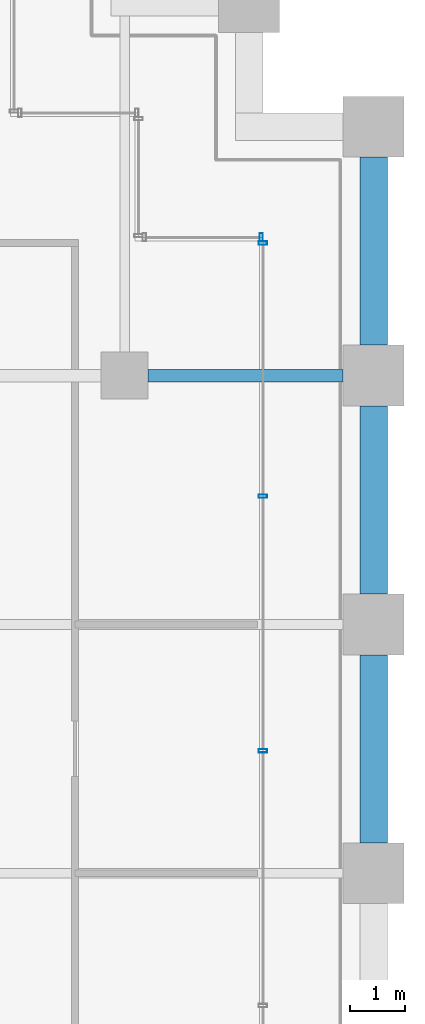
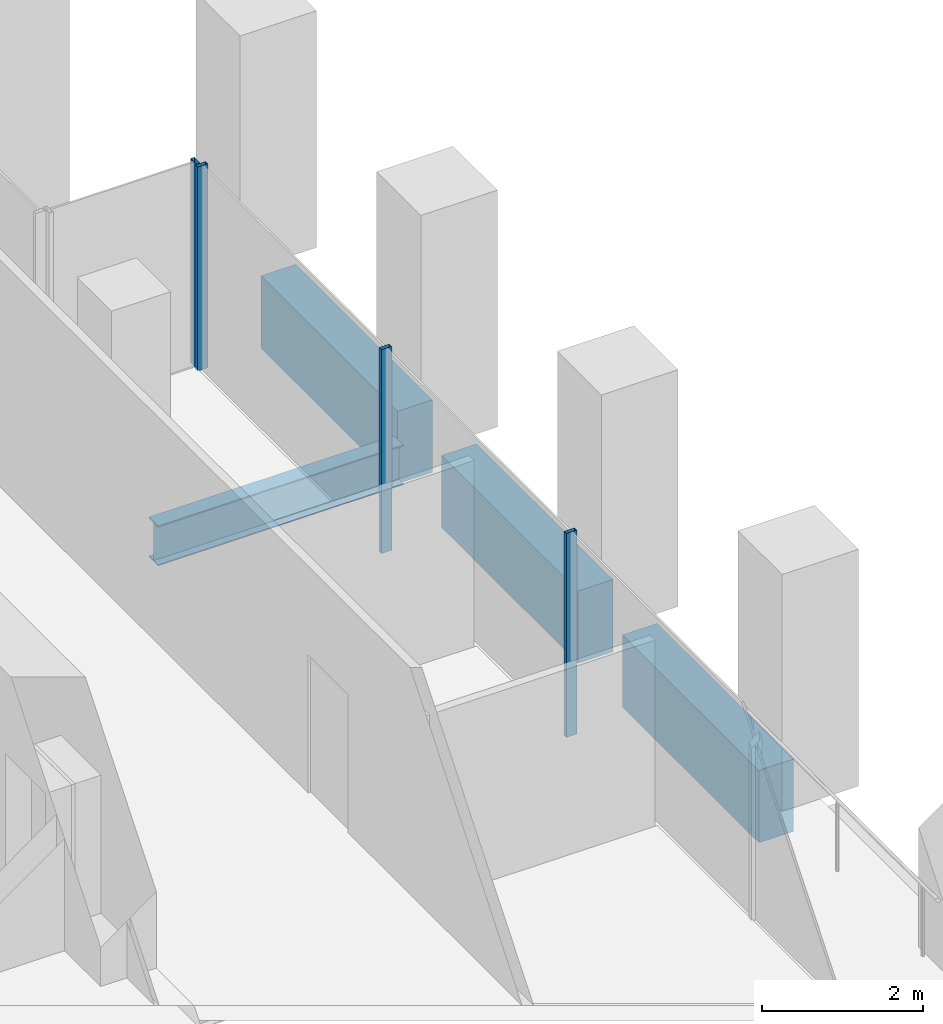
# One storey, part 47 of 56: 4 beams, 4 members, 2 elements without a shape of their own.
"""IFC4 building model written with IfcOpenShell, lengths in metres."""

import ifcopenshell
import ifcopenshell.guid

model = None  # the IFC model being written
_history = None  # IfcOwnerHistory: only IFC2X3 demands one
_inside = {}  # id of a spatial element -> (the spatial element, [elements in it])
_under = {}  # id of a project, library or spatial element -> (it, [spatial elements below it])
_declared = {}  # id of a project -> (the project, [libraries it declares])
_typed = {}  # id of a type object -> (the type object, [elements of that type])
_made_of = {}  # id of a material, layer set ... -> (it, [elements and type objects made of it])


def new_model(schema):
    """Start an empty IFC model of exactly this schema.

    Asked for "IFC4X3", IfcOpenShell would pick the latest addendum, in which some entities
    have other attributes; the version numbers below select the first issue.
    IFC2X3 requires an IfcOwnerHistory on every rooted entity: one is made here for all.
    """
    global model, _history
    if schema == "IFC4X3":
        model = ifcopenshell.file(schema_version=(4, 3, 0, 0))
    else:
        model = ifcopenshell.file(schema=schema)
    _inside.clear()
    _under.clear()
    _declared.clear()
    _typed.clear()
    _made_of.clear()
    _history = None
    if model.schema == "IFC2X3":
        org = make("IfcOrganization", Name="unknown")
        user = make(
            "IfcPersonAndOrganization",
            ThePerson=make("IfcPerson", FamilyName="unknown"),
            TheOrganization=org,
        )
        app = make(
            "IfcApplication",
            ApplicationDeveloper=org,
            Version="unknown",
            ApplicationFullName="unknown",
            ApplicationIdentifier="unknown",
        )
        _history = make(
            "IfcOwnerHistory",
            OwningUser=user,
            OwningApplication=app,
            ChangeAction="ADDED",
            CreationDate=0,
        )
    return model


def make(cls, **values):
    """One entity of the class cls with the attributes given. An attribute that is None is left unset."""
    return model.create_entity(
        cls, **{name: value for name, value in values.items() if value is not None}
    )


def rooted(cls, **values):
    """An entity with a GlobalId (a new one), such as an element, a storey or a relation."""
    return make(cls, GlobalId=ifcopenshell.guid.new(), OwnerHistory=_history, **values)


def si_unit(unit_type, name, prefix=None):
    """IfcSIUnit, for example si_unit("LENGTHUNIT", "METRE", prefix="MILLI")."""
    return make("IfcSIUnit", UnitType=unit_type, Prefix=prefix, Name=name)


def assignment(units):
    """IfcUnitAssignment: the units of a project."""
    return None if units is None else make("IfcUnitAssignment", Units=units)


def point(xyz):
    """IfcCartesianPoint."""
    return None if xyz is None else make("IfcCartesianPoint", Coordinates=xyz)


def direction(xyz):
    """IfcDirection."""
    return None if xyz is None else make("IfcDirection", DirectionRatios=xyz)


def frame(location, z_axis=None, x_axis=None):
    """IfcAxis2Placement3D, a coordinate frame: its origin and axes. An axis left out is left unset."""
    return make(
        "IfcAxis2Placement3D",
        Location=point(location),
        Axis=direction(z_axis),
        RefDirection=direction(x_axis),
    )


def frame_2d(location, x_axis=None):
    """IfcAxis2Placement2D, a coordinate frame in the plane: its origin and x axis."""
    return make(
        "IfcAxis2Placement2D", Location=point(location), RefDirection=direction(x_axis)
    )


def origin():
    """The frame at (0, 0, 0) with its axes left unset."""
    return frame((0.0, 0.0, 0.0))


def origin_2d():
    """The frame at (0, 0) in the plane with its x axis left unset."""
    return frame_2d((0.0, 0.0))


def place(relative_to, where):
    """IfcLocalPlacement: puts the frame where relative to a parent placement (None: the world)."""
    return make(
        "IfcLocalPlacement", PlacementRelTo=relative_to, RelativePlacement=where
    )


def context(
    kind, dimensions, precision=None, world=None, true_north=None, identifier=None
):
    """IfcGeometricRepresentationContext, for example the 3D "Model" context."""
    return make(
        "IfcGeometricRepresentationContext",
        ContextIdentifier=identifier,
        ContextType=kind,
        CoordinateSpaceDimension=dimensions,
        Precision=precision,
        WorldCoordinateSystem=world,
        TrueNorth=true_north,
    )


def subcontext(parent, identifier, kind, view, scale=None):
    """IfcGeometricRepresentationSubContext, for example "Body" below "Model"."""
    return make(
        "IfcGeometricRepresentationSubContext",
        ContextIdentifier=identifier,
        ContextType=kind,
        ParentContext=parent,
        TargetScale=scale,
        TargetView=view,
    )


def project(units=None, contexts=None):
    """IfcProject with its units and contexts."""
    return rooted(
        "IfcProject",
        Name="project",
        RepresentationContexts=contexts,
        UnitsInContext=assignment(units),
    )


def spatial(cls, under=None, at=None, **own):
    """A site, building, storey or space (cls), placed at a placement, below another one or the project."""
    s = rooted(cls, ObjectPlacement=at, **own)
    if under is not None:
        _under.setdefault(under.id(), (under, []))[1].append(s)
    return s


def profile(cls, at=None, kind="AREA", **sizes):
    """A parametric profile (cls). Its sizes go by their IFC names, for example OverallWidth=200.0."""
    return make(cls, ProfileType=kind, Position=at, **sizes)


def rectangle(**sizes):
    """IfcRectangleProfileDef."""
    return profile("IfcRectangleProfileDef", **sizes)


def hollow_rectangle(**sizes):
    """IfcRectangleHollowProfileDef."""
    return profile("IfcRectangleHollowProfileDef", **sizes)


def i_section(**sizes):
    """IfcIShapeProfileDef."""
    return profile("IfcIShapeProfileDef", **sizes)


def extrude(swept, where, along, depth):
    """IfcExtrudedAreaSolid: the profile swept, set in the frame where, extruded along a direction by depth."""
    return make(
        "IfcExtrudedAreaSolid",
        SweptArea=swept,
        Position=where,
        ExtrudedDirection=direction(along),
        Depth=depth,
    )


def shape(context_of_items, identifier, shape_type, items):
    """IfcShapeRepresentation: the items that make up one representation, for example the "Body"."""
    return make(
        "IfcShapeRepresentation",
        ContextOfItems=context_of_items,
        RepresentationIdentifier=identifier,
        RepresentationType=shape_type,
        Items=items,
    )


def material(Name=None, Category=None):
    """IfcMaterial."""
    return make("IfcMaterial", Name=Name, Category=Category)


def material_profile(
    of_material, cross_section, Name=None, Category=None, Priority=None
):
    """IfcMaterialProfile: a cross section and its material."""
    return make(
        "IfcMaterialProfile",
        Name=Name,
        Material=of_material,
        Profile=cross_section,
        Priority=Priority,
        Category=Category,
    )


def profile_set(profiles, Name=None, composite=None):
    """IfcMaterialProfileSet."""
    return make(
        "IfcMaterialProfileSet",
        Name=Name,
        MaterialProfiles=profiles,
        CompositeProfile=composite,
    )


def made_of(thing, what):
    """Note that an element or type object is made of a material, layer set ...; save() writes the relation."""
    if what is not None:
        _made_of.setdefault(what.id(), (what, []))[1].append(thing)
    return thing


def type_object(cls, material=None, **own):
    """A type object (cls), such as IfcWallType, which elements share."""
    return made_of(rooted(cls, **own), material)


def element(
    cls,
    number,
    at=None,
    inside=None,
    cuts=None,
    type_object=None,
    material=None,
    context=None,
    identifier="Body",
    shape_type=None,
    held_by="IfcProductDefinitionShape",
    body=None,
    shapes=None,
    **own,
):
    """One element of the class cls, such as IfcWall. Its Tag is "e" and its number.

    at: its placement. inside: the storey or other place that contains it. cuts: it is an
    opening in that element (IfcRelVoidsElement). A single representation is given by context,
    identifier, shape_type and body (its items); several are given by shapes. held_by: the class
    of the entity that holds the representations. save() writes the other relations.
    """
    e = rooted(cls, Tag="e%d" % number, ObjectPlacement=at, **own)
    if body is not None:
        shapes = [shape(context, identifier, shape_type, body)]
    if shapes is not None:
        e.Representation = make(held_by, Representations=shapes)
    if inside is not None:
        _inside.setdefault(inside.id(), (inside, []))[1].append(e)
    if cuts is not None:
        rooted(
            "IfcRelVoidsElement", RelatingBuildingElement=cuts, RelatedOpeningElement=e
        )
    if type_object is not None:
        _typed.setdefault(type_object.id(), (type_object, []))[1].append(e)
    return made_of(e, material)


def aggregate(whole, parts):
    """IfcRelAggregates: a whole, such as a stair, and the parts it consists of."""
    return rooted("IfcRelAggregates", RelatingObject=whole, RelatedObjects=parts)


def save(model, path):
    """Write the relations noted so far, then the file.

    IfcRelAggregates (storeys below a building ...), IfcRelContainedInSpatialStructure (elements
    in a storey), IfcRelDefinesByType, IfcRelAssociatesMaterial and IfcRelDeclares: one each for
    every whole, place, type object, material and project.
    """
    for whole, parts in _under.values():
        aggregate(whole, parts)
    for where, things in _inside.values():
        rooted(
            "IfcRelContainedInSpatialStructure",
            RelatedElements=things,
            RelatingStructure=where,
        )
    for kind, things in _typed.values():
        rooted("IfcRelDefinesByType", RelatedObjects=things, RelatingType=kind)
    for what, things in _made_of.values():
        rooted("IfcRelAssociatesMaterial", RelatedObjects=things, RelatingMaterial=what)
    for by, libraries in _declared.values():
        rooted("IfcRelDeclares", RelatingContext=by, RelatedDefinitions=libraries)
    model.write(path)


model = new_model("IFC4")

# Units and contexts
model_context = context("Model", 3, precision=1e-05, world=origin(), true_north=direction((0.0, 1.0)))
body_context = subcontext(model_context, "Body", "Model", "MODEL_VIEW")
ifc_project = project(units=[si_unit("LENGTHUNIT", "METRE"), si_unit("AREAUNIT", "SQUARE_METRE"), si_unit("VOLUMEUNIT", "CUBIC_METRE"), si_unit("PLANEANGLEUNIT", "RADIAN"), si_unit("MASSUNIT", "GRAM", prefix="KILO")], contexts=[model_context])

# Site, building, storey
site_placement = place(None, origin())
site = spatial("IfcSite", under=ifc_project, at=site_placement, CompositionType="ELEMENT")
building_placement = place(site_placement, origin())
building = spatial("IfcBuilding", under=site, at=building_placement, Name="Altepetl Exchange Towers", CompositionType="ELEMENT")
storey_placement = place(building_placement, frame((0.0, 0.0, 69.0)))
storey = spatial("IfcBuildingStorey", under=building, at=storey_placement, Name="L16", CompositionType="ELEMENT", Elevation=69.0)

# Beam
ifc_material_1 = material(Name="Steel S355", Category="steel")
ifc_material_profile_1 = material_profile(ifc_material_1, i_section(OverallWidth=0.22802734375, OverallDepth=0.60791015625, WebThickness=0.01123046875, FlangeThickness=0.017333984375, at=origin_2d()), Name="W24X76")
ifc_profile_set_1 = profile_set([ifc_material_profile_1], Name="Steel S355")
beam_type_1 = type_object("IfcBeamType", Name="Girder W24X76", PredefinedType="BEAM", material=ifc_profile_set_1)
beam_1_placement = place(storey_placement, frame((121.925048828125, 49.5, -0.4541015625), z_axis=(1.0, 0.0, 0.0), x_axis=(0.0, 1.0, 0.0)))
element("IfcBeam", 1, at=beam_1_placement, inside=storey, type_object=beam_type_1, Name="gd:B:L16:001", PredefinedType="BEAM", context=body_context, shape_type="SweptSolid", body=[
    extrude(i_section(OverallWidth=0.22802734375, OverallDepth=0.60791015625, WebThickness=0.01123046875, FlangeThickness=0.017333984375, at=origin_2d()), origin(), (0.0, 0.0, 1.0), 3.52490234375),
])

# Curtain wall, members
ifc_material_2 = material(Name="Aluminium 6063-T6 glazing", Category="aluminium")
curtain_wall_type = type_object("IfcCurtainWallType", Name="Loggia glazing system", PredefinedType="NOTDEFINED", material=ifc_material_2)
curtain_wall_1_placement = place(storey_placement, origin())
curtain_wall_1 = element("IfcCurtainWall", 2, at=curtain_wall_1_placement, inside=storey, type_object=curtain_wall_type, Name="CW1 run", PredefinedType="NOTDEFINED")
ifc_material_3 = material(Name="Aluminium 6063-T6", Category="aluminium")
ifc_material_profile_2 = material_profile(ifc_material_3, hollow_rectangle(XDim=0.06005859375, YDim=0.14990234375, WallThickness=0.0029296875, at=origin_2d()), Name="Mullion 60x150 aluminium")
ifc_profile_set_2 = profile_set([ifc_material_profile_2], Name="Aluminium 6063-T6")
member_type = type_object("IfcMemberType", Name="Mullion 60x150 aluminium", PredefinedType="MULLION", material=ifc_profile_set_2)
member_1_placement = place(storey_placement, frame((124.0, 42.71240234375, 0.0), z_axis=(0.0, 0.0, 1.0), x_axis=(0.0, 1.0, 0.0)))
member_1 = element("IfcMember", 3, at=member_1_placement, type_object=member_type, Name="MU1 mullion", PredefinedType="MULLION", context=body_context, shape_type="SweptSolid", body=[
    extrude(hollow_rectangle(XDim=0.06005859375, YDim=0.14990234375, WallThickness=0.0029296875, at=origin_2d()), origin(), (0.0, 0.0, 1.0), 3.10009765625),
])
member_2_placement = place(storey_placement, frame((124.0, 47.31884765625, 0.0), z_axis=(0.0, 0.0, 1.0), x_axis=(0.0, 1.0, 0.0)))
member_2 = element("IfcMember", 4, at=member_2_placement, type_object=member_type, Name="MU1 mullion", PredefinedType="MULLION", context=body_context, shape_type="SweptSolid", body=[
    extrude(hollow_rectangle(XDim=0.06005859375, YDim=0.14990234375, WallThickness=0.0029296875, at=origin_2d()), origin(), (0.0, 0.0, 1.0), 3.10009765625),
])
member_3_placement = place(storey_placement, frame((124.0, 51.89501953125, 0.0), z_axis=(0.0, 0.0, 1.0), x_axis=(0.0, 1.0, 0.0)))
member_3 = element("IfcMember", 5, at=member_3_placement, type_object=member_type, Name="MU1 mullion", PredefinedType="MULLION", context=body_context, shape_type="SweptSolid", body=[
    extrude(hollow_rectangle(XDim=0.06005859375, YDim=0.14990234375, WallThickness=0.0029296875, at=origin_2d()), origin(), (0.0, 0.0, 1.0), 3.10009765625),
])
aggregate(curtain_wall_1, [member_1, member_2, member_3])

# Curtain wall, member
curtain_wall_2_placement = place(storey_placement, origin())
curtain_wall_2 = element("IfcCurtainWall", 6, at=curtain_wall_2_placement, inside=storey, type_object=curtain_wall_type, Name="CW1 run", PredefinedType="NOTDEFINED")
member_4_placement = place(storey_placement, frame((123.969970703125, 52.0, 0.0), z_axis=(0.0, 0.0, 1.0), x_axis=(-1.0, 0.0, 0.0)))
member_4 = element("IfcMember", 7, at=member_4_placement, type_object=member_type, Name="MU1 mullion", PredefinedType="MULLION", context=body_context, shape_type="SweptSolid", body=[
    extrude(hollow_rectangle(XDim=0.06005859375, YDim=0.14990234375, WallThickness=0.0029296875, at=origin_2d()), origin(), (0.0, 0.0, 1.0), 3.10009765625),
])
aggregate(curtain_wall_2, [member_4])

# Beams
ifc_material_4 = material(Name="Concrete C50/60 precast with cantera amarilla facing", Category="concrete")
ifc_material_profile_3 = material_profile(ifc_material_4, rectangle(XDim=0.5, YDim=1.10009765625, at=origin_2d()), Name="500 x 1100")
ifc_profile_set_3 = profile_set([ifc_material_profile_3], Name="Concrete C50/60 precast with cantera amarilla facing")
beam_type_2 = type_object("IfcBeamType", Name="Spandrel beam 500x1100 cantera amarilla", PredefinedType="SPANDREL", material=ifc_profile_set_3)
beam_2_placement = place(storey_placement, frame((126.0, 50.050048828125, -0.699951171875), z_axis=(0.0, 1.0, 0.0), x_axis=(-1.0, 0.0, 0.0)))
element("IfcBeam", 8, at=beam_2_placement, inside=storey, type_object=beam_type_2, Name="sp:B:L16:013", PredefinedType="SPANDREL", context=body_context, shape_type="SweptSolid", body=[
    extrude(rectangle(XDim=0.5, YDim=1.10009765625, at=origin_2d()), origin(), (0.0, 0.0, 1.0), 3.39990234375),
])
ifc_material_5 = material(Name="Concrete C50/60 precast with cantera blanca facing", Category="concrete")
ifc_material_profile_4 = material_profile(ifc_material_5, rectangle(XDim=0.5, YDim=1.10009765625, at=origin_2d()), Name="500 x 1100")
ifc_profile_set_4 = profile_set([ifc_material_profile_4], Name="Concrete C50/60 precast with cantera blanca facing")
beam_type_3 = type_object("IfcBeamType", Name="Spandrel beam 500x1100 cantera blanca", PredefinedType="SPANDREL", material=ifc_profile_set_4)
for number, where, z_axis, x_axis, name in (
    (9, (126.0, 41.050048828125, -0.699951171875), (0.0, 1.0, 0.0), (-1.0, 0.0, 0.0), "sp:B:L16:011"),
    (10, (126.0, 45.550048828125, -0.699951171875), (0.0, 1.0, 0.0), (-1.0, 0.0, 0.0), "sp:B:L16:012"),
):
    element("IfcBeam", number, at=place(storey_placement, frame(where, z_axis=z_axis, x_axis=x_axis)), inside=storey, type_object=beam_type_3, Name=name, PredefinedType="SPANDREL", context=body_context, shape_type="SweptSolid", body=[
        extrude(rectangle(XDim=0.5, YDim=1.10009765625, at=origin_2d()), origin(), (0.0, 0.0, 1.0), 3.39990234375),
    ])

save(model, "model.ifc")
